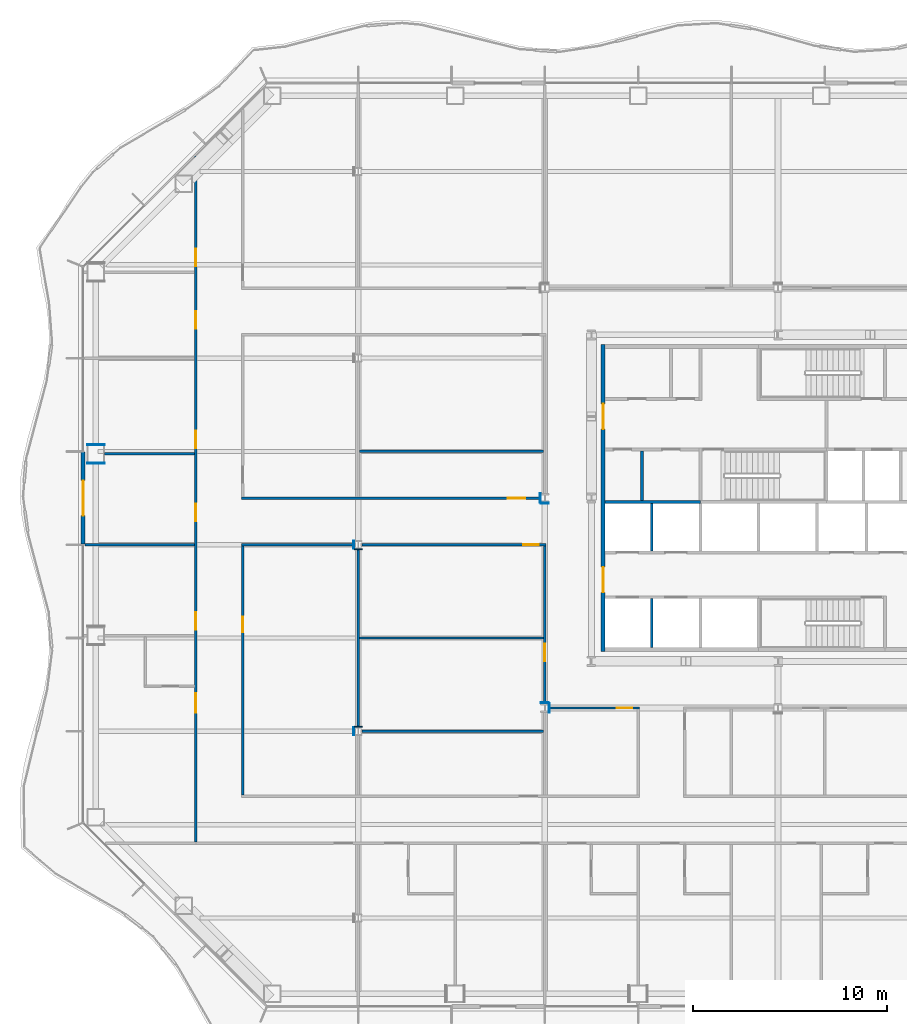
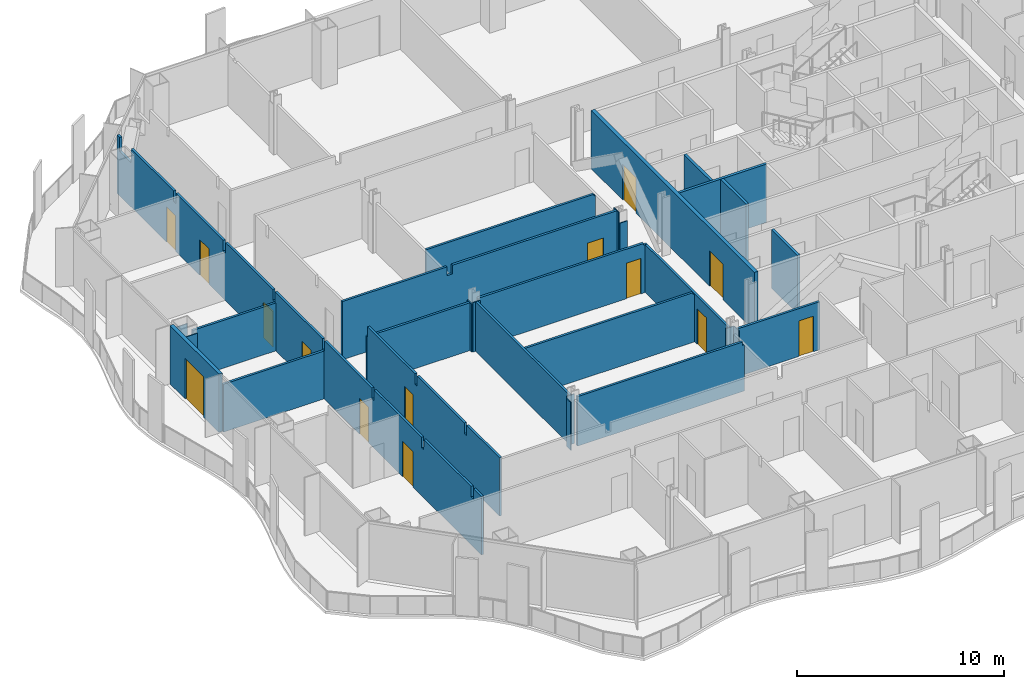
# One storey, part 8 of 20: 29 walls, 14 doors, 14 openings.
"""IFC4 building model written with IfcOpenShell, lengths in metres."""

from ifc_helpers import new_model, si_unit, direction, frame, frame_2d, origin, place, context, subcontext, project, spatial, polyline, rectangle, outline, extrude, material, layer, layer_set, type_object, element, fill, save


model = new_model("IFC4")

# Units and contexts
model_context = context("Model", 3, precision=1e-05, world=origin(), true_north=direction((0.0, 1.0)))
body_context = subcontext(model_context, "Body", "Model", "MODEL_VIEW")
ifc_project = project(units=[si_unit("LENGTHUNIT", "METRE"), si_unit("AREAUNIT", "SQUARE_METRE"), si_unit("VOLUMEUNIT", "CUBIC_METRE"), si_unit("PLANEANGLEUNIT", "RADIAN"), si_unit("MASSUNIT", "GRAM", prefix="KILO")], contexts=[model_context])

# Site, building, storey
site_placement = place(None, origin())
site = spatial("IfcSite", under=ifc_project, at=site_placement, CompositionType="ELEMENT")
building_placement = place(site_placement, origin())
building = spatial("IfcBuilding", under=site, at=building_placement, Name="Cairn Pilgrim Tower", CompositionType="ELEMENT")
storey_placement = place(building_placement, frame((0.0, 0.0, 83.39990234375)))
storey = spatial("IfcBuildingStorey", under=building, at=storey_placement, Name="L19", CompositionType="ELEMENT", Elevation=83.39990234375)

# Wall, opening, door
ifc_material_1 = material(Name="Bronze anodised aluminium insulated sandwich panel with mineral wool fill", Category="aluminium")
ifc_layer_1 = layer(ifc_material_1, 0.199951171875)
ifc_layer_set_1 = layer_set([ifc_layer_1], Name="BRONZE INFILL FRAME WALL 200")
wall_type_1 = type_object("IfcWallType", Name="BRONZE INFILL FRAME WALL 200", PredefinedType="NOTDEFINED", material=ifc_layer_set_1)
wall_1_placement = place(storey_placement, frame((-28.550048828125, 4.77001953125, 0.0), z_axis=(0.0, 0.0, 1.0), x_axis=(0.0, -1.0, 0.0)))
wall_1 = element("IfcWall", 1, at=wall_1_placement, inside=storey, type_object=wall_type_1, Name="Bronze infill frame wall IW-W3", PredefinedType="NOTDEFINED", context=body_context, shape_type="SweptSolid", body=[
    extrude(rectangle(XDim=4.739990234375, YDim=0.199951171875, at=frame_2d((2.3701171875, 0.0))), origin(), (0.0, 0.0, 1.0), 3.4501953125),
])
opening_1_placement = place(wall_1_placement, frame((1.469970703125, 0.0, 0.0)))
opening_1 = element("IfcOpeningElement", 2, at=opening_1_placement, cuts=wall_1, Name="Opening 1911B", PredefinedType="OPENING", context=body_context, shape_type="SweptSolid", body=[
    extrude(rectangle(XDim=1.800048828125, YDim=2.39990234375, at=frame_2d((0.89990234375, 1.199951171875))), frame((0.0, 0.10986328125, 0.0), z_axis=(0.0, -1.0, 0.0), x_axis=(1.0, 0.0, 0.0)), (0.0, 0.0, 1.0), 0.219970703125),
])
ifc_material_2 = material(Name="Bronze anodised aluminium frame with tinted low-E glass", Category="aluminium")
door_type_1 = type_object("IfcDoorType", Name="BALCONY SLIDING DOOR 1800x2400", OperationType="DOUBLE_DOOR_SLIDING", PredefinedType="DOOR", material=ifc_material_2)
door_1_placement = place(opening_1_placement, origin())
door_1 = element("IfcDoor", 3, at=door_1_placement, inside=storey, type_object=door_type_1, Name="Balcony sliding door 1911B", OperationType="SINGLE_SWING_LEFT", OverallHeight=2.39990234375, OverallWidth=1.800048828125, PredefinedType="DOOR", context=body_context, shape_type="SweptSolid", body=[
    extrude(rectangle(XDim=1.800048828125, YDim=2.39990234375, at=frame_2d((0.89990234375, 1.199951171875))), frame((0.0, 0.02490234375, 0.0), z_axis=(0.0, -1.0, 0.0), x_axis=(1.0, 0.0, 0.0)), (0.0, 0.0, 1.0), 0.050048828125),
])
fill(opening_1, door_1)

# Wall, openings, doors
ifc_material_3 = material(Name="Concrete C32/40", Category="concrete")
ifc_layer_2 = layer(ifc_material_3, 0.199951171875)
ifc_layer_set_2 = layer_set([ifc_layer_2], Name="CORE OUTER WALL 200 EI 120")
wall_type_2 = type_object("IfcWallType", Name="CORE OUTER WALL 200 EI 120", PredefinedType="SOLIDWALL", material=ifc_layer_set_2)
wall_2_placement = place(storey_placement, frame((-1.800048828125, -5.5, 0.0), z_axis=(0.0, 0.0, 1.0), x_axis=(0.0, 1.0, 0.0)))
wall_2 = element("IfcWall", 4, at=wall_2_placement, inside=storey, type_object=wall_type_2, Name="CW:L19:V12", PredefinedType="SOLIDWALL", context=body_context, shape_type="SweptSolid", body=[
    extrude(rectangle(XDim=15.800048828125, YDim=0.199951171875, at=frame_2d((7.89990234375, 0.0))), origin(), (0.0, 0.0, 1.0), 3.4501953125),
])
opening_2_placement = place(wall_2_placement, frame((3.050048828125, 0.0, 0.0)))
opening_2 = element("IfcOpeningElement", 5, at=opening_2_placement, cuts=wall_2, Name="Opening CD-W1", PredefinedType="OPENING", context=body_context, shape_type="SweptSolid", body=[
    extrude(rectangle(XDim=1.300048828125, YDim=2.10009765625, at=frame_2d((0.64990234375, 1.050048828125))), frame((0.0, 0.10986328125, 0.0), z_axis=(0.0, -1.0, 0.0), x_axis=(1.0, 0.0, 0.0)), (0.0, 0.0, 1.0), 0.219970703125),
])
opening_3_placement = place(wall_2_placement, frame((11.449951171875, 0.0, 0.0)))
opening_3 = element("IfcOpeningElement", 6, at=opening_3_placement, cuts=wall_2, Name="Opening CD-W2", PredefinedType="OPENING", context=body_context, shape_type="SweptSolid", body=[
    extrude(rectangle(XDim=1.300048828125, YDim=2.10009765625, at=frame_2d((0.64990234375, 1.050048828125))), frame((0.0, 0.10986328125, 0.0), z_axis=(0.0, -1.0, 0.0), x_axis=(1.0, 0.0, 0.0)), (0.0, 0.0, 1.0), 0.219970703125),
])
ifc_material_4 = material(Name="Painted steel", Category="steel")
door_type_2 = type_object("IfcDoorType", Name="CORE LOBBY DOOR 1300x2100", OperationType="DOUBLE_DOOR_SINGLE_SWING", PredefinedType="DOOR", material=ifc_material_4)
door_2_placement = place(opening_2_placement, origin())
door_2 = element("IfcDoor", 7, at=door_2_placement, inside=storey, type_object=door_type_2, Name="CD-W1", OperationType="DOUBLE_DOOR_SINGLE_SWING", OverallHeight=2.10009765625, OverallWidth=1.300048828125, PredefinedType="DOOR", context=body_context, shape_type="SweptSolid", body=[
    extrude(rectangle(XDim=1.300048828125, YDim=2.10009765625, at=frame_2d((0.64990234375, 1.050048828125))), frame((0.0, 0.02490234375, 0.0), z_axis=(0.0, -1.0, 0.0), x_axis=(1.0, 0.0, 0.0)), (0.0, 0.0, 1.0), 0.050048828125),
])
fill(opening_2, door_2)
door_3_placement = place(opening_3_placement, origin())
door_3 = element("IfcDoor", 8, at=door_3_placement, inside=storey, type_object=door_type_2, Name="CD-W2", OperationType="DOUBLE_DOOR_SINGLE_SWING", OverallHeight=2.10009765625, OverallWidth=1.300048828125, PredefinedType="DOOR", context=body_context, shape_type="SweptSolid", body=[
    extrude(rectangle(XDim=1.300048828125, YDim=2.10009765625, at=frame_2d((0.64990234375, 1.050048828125))), frame((0.0, 0.02490234375, 0.0), z_axis=(0.0, -1.0, 0.0), x_axis=(1.0, 0.0, 0.0)), (0.0, 0.0, 1.0), 0.050048828125),
])
fill(opening_3, door_3)

# Walls
ifc_layer_3 = layer(ifc_material_3, 0.14990234375)
ifc_layer_set_3 = layer_set([ifc_layer_3], Name="CORE PARTITION 150 EI 60")
wall_type_3 = type_object("IfcWallType", Name="CORE PARTITION 150 EI 60", PredefinedType="PARTITIONING", material=ifc_layer_set_3)
wall_3_placement = place(storey_placement, frame((0.199951171875, 2.27490234375, 0.0), z_axis=(0.0, 0.0, 1.0), x_axis=(0.0, 1.0, 0.0)))
element("IfcWall", 9, at=wall_3_placement, inside=storey, type_object=wall_type_3, Name="CW:L19:V13", PredefinedType="PARTITIONING", context=body_context, shape_type="SweptSolid", body=[
    extrude(rectangle(XDim=2.550048828125, YDim=0.14990234375, at=frame_2d((1.27490234375, 0.0))), origin(), (0.0, 0.0, 1.0), 3.4501953125),
])
ifc_layer_4 = layer(ifc_material_3, 0.14990234375)
ifc_layer_set_4 = layer_set([ifc_layer_4], Name="CORE SHAFT WALL 150 EI 120")
wall_type_4 = type_object("IfcWallType", Name="CORE SHAFT WALL 150 EI 120", PredefinedType="SOLIDWALL", material=ifc_layer_set_4)
wall_4_placement = place(storey_placement, frame((-1.699951171875, 2.199951171875, 0.0), z_axis=(0.0, 0.0, 1.0), x_axis=(1.0, 0.0, 0.0)))
element("IfcWall", 10, at=wall_4_placement, inside=storey, type_object=wall_type_4, Name="CW:L19:H05-1", PredefinedType="SOLIDWALL", context=body_context, shape_type="SweptSolid", body=[
    extrude(rectangle(XDim=4.89990234375, YDim=0.14990234375, at=frame_2d((2.449951171875, 0.0))), origin(), (0.0, 0.0, 1.0), 3.4501953125),
])
wall_5_placement = place(storey_placement, frame((0.699951171875, -5.300048828125, 0.0), z_axis=(0.0, 0.0, 1.0), x_axis=(0.0, 1.0, 0.0)))
element("IfcWall", 11, at=wall_5_placement, inside=storey, type_object=wall_type_4, Name="CW:L19:V14", PredefinedType="SOLIDWALL", context=body_context, shape_type="SweptSolid", body=[
    extrude(rectangle(XDim=2.525146484375, YDim=0.14990234375, at=frame_2d((1.2626953125, 0.0))), origin(), (0.0, 0.0, 1.0), 3.4501953125),
])
wall_6_placement = place(storey_placement, frame((0.699951171875, -0.324951171875, 0.0), z_axis=(0.0, 0.0, 1.0), x_axis=(0.0, 1.0, 0.0)))
element("IfcWall", 12, at=wall_6_placement, inside=storey, type_object=wall_type_4, Name="CW:L19:V15", PredefinedType="SOLIDWALL", context=body_context, shape_type="SweptSolid", body=[
    extrude(rectangle(XDim=2.449951171875, YDim=0.14990234375, at=frame_2d((1.22509765625, 0.0))), origin(), (0.0, 0.0, 1.0), 3.4501953125),
])

# Wall, openings, doors
ifc_material_5 = material(Name="Gypsum partition")
ifc_layer_5 = layer(ifc_material_5, 0.125)
ifc_layer_set_5 = layer_set([ifc_layer_5], Name="PARTITION 125 DRYWALL EI 60")
wall_type_5 = type_object("IfcWallType", Name="PARTITION 125 DRYWALL EI 60", PredefinedType="PARTITIONING", material=ifc_layer_set_5)
wall_7_placement = place(storey_placement, frame((-22.75, -15.28759765625, 0.0), z_axis=(0.0, 0.0, 1.0), x_axis=(0.0, 1.0, 0.0)))
wall_7 = element("IfcWall", 13, at=wall_7_placement, inside=storey, type_object=wall_type_5, Name="PARTITION W024", PredefinedType="PARTITIONING", context=body_context, shape_type="SweptSolid", body=[
    extrude(outline(polyline([(0.0, 0.0), (35.276123046875, 0.0), (35.276123046875, 3.4501953125), (35.022216796875, 3.4501953125), (35.020263671875, 2.630126953125), (33.9072265625, 2.630126953125), (33.9052734375, 3.4501953125), (29.797607421875, 3.4501953125), (29.79541015625, 2.830078125), (29.577392578125, 2.830078125), (29.575439453125, 3.4501953125), (24.99755859375, 3.4501953125), (24.99560546875, 2.830078125), (24.777587890625, 2.830078125), (24.775390625, 3.4501953125), (20.197509765625, 3.4501953125), (20.195556640625, 2.830078125), (19.9775390625, 2.830078125), (19.9755859375, 3.4501953125), (15.3974609375, 3.4501953125), (15.3955078125, 2.830078125), (15.177490234375, 2.830078125), (15.175537109375, 3.4501953125), (10.597412109375, 3.4501953125), (10.595458984375, 2.830078125), (10.37744140625, 2.830078125), (10.37548828125, 3.4501953125), (5.797607421875, 3.4501953125), (5.79541015625, 2.830078125), (5.577392578125, 2.830078125), (5.575439453125, 3.4501953125), (0.99755859375, 3.4501953125), (0.99560546875, 2.830078125), (0.777587890625, 2.830078125), (0.775390625, 3.4501953125), (0.0, 3.4501953125), (0.0, 0.0)])), frame((0.0, 0.0625, 0.0), z_axis=(0.0, -1.0, 0.0), x_axis=(1.0, 0.0, 0.0)), (0.0, 0.0, 1.0), 0.125),
])
opening_4_placement = place(wall_7_placement, frame((6.637451171875, 0.0, 0.0)))
opening_4 = element("IfcOpeningElement", 14, at=opening_4_placement, cuts=wall_7, Name="Opening 1909", PredefinedType="OPENING", context=body_context, shape_type="SweptSolid", body=[
    extrude(rectangle(XDim=1.0, YDim=2.10009765625, at=frame_2d((0.5, 1.050048828125))), frame((0.0, 0.072509765625, 0.0), z_axis=(0.0, -1.0, 0.0), x_axis=(1.0, 0.0, 0.0)), (0.0, 0.0, 1.0), 0.14501953125),
])
opening_5_placement = place(wall_7_placement, frame((10.91162109375, 0.0, 0.0)))
opening_5 = element("IfcOpeningElement", 15, at=opening_5_placement, cuts=wall_7, Name="Opening 1910", PredefinedType="OPENING", context=body_context, shape_type="SweptSolid", body=[
    extrude(rectangle(XDim=0.89990234375, YDim=2.10009765625, at=frame_2d((0.449951171875, 1.050048828125))), frame((0.0, 0.072509765625, 0.0), z_axis=(0.0, -1.0, 0.0), x_axis=(1.0, 0.0, 0.0)), (0.0, 0.0, 1.0), 0.14501953125),
])
opening_6_placement = place(wall_7_placement, frame((16.487548828125, 0.0, 0.0)))
opening_6 = element("IfcOpeningElement", 16, at=opening_6_placement, cuts=wall_7, Name="Opening 1911", PredefinedType="OPENING", context=body_context, shape_type="SweptSolid", body=[
    extrude(rectangle(XDim=0.89990234375, YDim=2.10009765625, at=frame_2d((0.449951171875, 1.050048828125))), frame((0.0, 0.072509765625, 0.0), z_axis=(0.0, -1.0, 0.0), x_axis=(1.0, 0.0, 0.0)), (0.0, 0.0, 1.0), 0.14501953125),
])
opening_7_placement = place(wall_7_placement, frame((20.263427734375, 0.0, 0.0)))
opening_7 = element("IfcOpeningElement", 17, at=opening_7_placement, cuts=wall_7, Name="Opening 1912", PredefinedType="OPENING", context=body_context, shape_type="SweptSolid", body=[
    extrude(rectangle(XDim=0.89990234375, YDim=2.10009765625, at=frame_2d((0.449951171875, 1.050048828125))), frame((0.0, 0.072509765625, 0.0), z_axis=(0.0, -1.0, 0.0), x_axis=(1.0, 0.0, 0.0)), (0.0, 0.0, 1.0), 0.14501953125),
])
opening_8_placement = place(wall_7_placement, frame((26.387451171875, 0.0, 0.0)))
opening_8 = element("IfcOpeningElement", 18, at=opening_8_placement, cuts=wall_7, Name="Opening 1913", PredefinedType="OPENING", context=body_context, shape_type="SweptSolid", body=[
    extrude(rectangle(XDim=0.89990234375, YDim=2.10009765625, at=frame_2d((0.449951171875, 1.050048828125))), frame((0.0, 0.072509765625, 0.0), z_axis=(0.0, -1.0, 0.0), x_axis=(1.0, 0.0, 0.0)), (0.0, 0.0, 1.0), 0.14501953125),
])
opening_9_placement = place(wall_7_placement, frame((29.614501953125, 0.0, 0.0)))
opening_9 = element("IfcOpeningElement", 19, at=opening_9_placement, cuts=wall_7, Name="Opening 1914", PredefinedType="OPENING", context=body_context, shape_type="SweptSolid", body=[
    extrude(rectangle(XDim=0.89990234375, YDim=2.10009765625, at=frame_2d((0.449951171875, 1.050048828125))), frame((0.0, 0.072509765625, 0.0), z_axis=(0.0, -1.0, 0.0), x_axis=(1.0, 0.0, 0.0)), (0.0, 0.0, 1.0), 0.14501953125),
])
ifc_material_6 = material(Name="Timber door leaf", Category="wood")
door_type_3 = type_object("IfcDoorType", Name="ACCESSIBLE DOOR 1000x2100 FD30S", OperationType="NOTDEFINED", PredefinedType="DOOR", material=ifc_material_6)
door_4_placement = place(opening_4_placement, origin())
door_4 = element("IfcDoor", 20, at=door_4_placement, inside=storey, type_object=door_type_3, Name="DOOR 1909", OperationType="SINGLE_SWING_LEFT", OverallHeight=2.10009765625, OverallWidth=1.0, PredefinedType="DOOR", context=body_context, shape_type="SweptSolid", body=[
    extrude(rectangle(XDim=1.0, YDim=2.10009765625, at=frame_2d((0.5, 1.050048828125))), frame((0.0, 0.02490234375, 0.0), z_axis=(0.0, -1.0, 0.0), x_axis=(1.0, 0.0, 0.0)), (0.0, 0.0, 1.0), 0.050048828125),
])
fill(opening_4, door_4)
ifc_material_7 = material(Name="Steel-faced fire door leaf", Category="steel")
door_type_4 = type_object("IfcDoorType", Name="FIRE DOOR 900x2100 FD30S", OperationType="NOTDEFINED", PredefinedType="DOOR", material=ifc_material_7)
door_5_placement = place(opening_5_placement, origin())
door_5 = element("IfcDoor", 21, at=door_5_placement, inside=storey, type_object=door_type_4, Name="DOOR 1910", OperationType="SINGLE_SWING_LEFT", OverallHeight=2.10009765625, OverallWidth=0.89990234375, PredefinedType="DOOR", context=body_context, shape_type="SweptSolid", body=[
    extrude(rectangle(XDim=0.89990234375, YDim=2.10009765625, at=frame_2d((0.449951171875, 1.050048828125))), frame((0.0, 0.02490234375, 0.0), z_axis=(0.0, -1.0, 0.0), x_axis=(1.0, 0.0, 0.0)), (0.0, 0.0, 1.0), 0.050048828125),
])
fill(opening_5, door_5)
door_6_placement = place(opening_6_placement, origin())
door_6 = element("IfcDoor", 22, at=door_6_placement, inside=storey, type_object=door_type_4, Name="DOOR 1911", OperationType="SINGLE_SWING_RIGHT", OverallHeight=2.10009765625, OverallWidth=0.89990234375, PredefinedType="DOOR", context=body_context, shape_type="SweptSolid", body=[
    extrude(rectangle(XDim=0.89990234375, YDim=2.10009765625, at=frame_2d((0.449951171875, 1.050048828125))), frame((0.0, 0.02490234375, 0.0), z_axis=(0.0, -1.0, 0.0), x_axis=(1.0, 0.0, 0.0)), (0.0, 0.0, 1.0), 0.050048828125),
])
fill(opening_6, door_6)
door_7_placement = place(opening_7_placement, origin())
door_7 = element("IfcDoor", 23, at=door_7_placement, inside=storey, type_object=door_type_4, Name="DOOR 1912", OperationType="SINGLE_SWING_LEFT", OverallHeight=2.10009765625, OverallWidth=0.89990234375, PredefinedType="DOOR", context=body_context, shape_type="SweptSolid", body=[
    extrude(rectangle(XDim=0.89990234375, YDim=2.10009765625, at=frame_2d((0.449951171875, 1.050048828125))), frame((0.0, 0.02490234375, 0.0), z_axis=(0.0, -1.0, 0.0), x_axis=(1.0, 0.0, 0.0)), (0.0, 0.0, 1.0), 0.050048828125),
])
fill(opening_7, door_7)
door_8_placement = place(opening_8_placement, origin())
door_8 = element("IfcDoor", 24, at=door_8_placement, inside=storey, type_object=door_type_4, Name="DOOR 1913", OperationType="SINGLE_SWING_RIGHT", OverallHeight=2.10009765625, OverallWidth=0.89990234375, PredefinedType="DOOR", context=body_context, shape_type="SweptSolid", body=[
    extrude(rectangle(XDim=0.89990234375, YDim=2.10009765625, at=frame_2d((0.449951171875, 1.050048828125))), frame((0.0, 0.02490234375, 0.0), z_axis=(0.0, -1.0, 0.0), x_axis=(1.0, 0.0, 0.0)), (0.0, 0.0, 1.0), 0.050048828125),
])
fill(opening_8, door_8)
door_9_placement = place(opening_9_placement, origin())
door_9 = element("IfcDoor", 25, at=door_9_placement, inside=storey, type_object=door_type_4, Name="DOOR 1914", OperationType="SINGLE_SWING_LEFT", OverallHeight=2.10009765625, OverallWidth=0.89990234375, PredefinedType="DOOR", context=body_context, shape_type="SweptSolid", body=[
    extrude(rectangle(XDim=0.89990234375, YDim=2.10009765625, at=frame_2d((0.449951171875, 1.050048828125))), frame((0.0, 0.02490234375, 0.0), z_axis=(0.0, -1.0, 0.0), x_axis=(1.0, 0.0, 0.0)), (0.0, 0.0, 1.0), 0.050048828125),
])
fill(opening_9, door_9)

# Wall, opening, door
wall_8_placement = place(storey_placement, frame((-20.35009765625, -12.887451171875, 0.0), z_axis=(0.0, 0.0, 1.0), x_axis=(0.0, 1.0, 0.0)))
wall_8 = element("IfcWall", 26, at=wall_8_placement, inside=storey, type_object=wall_type_5, Name="PARTITION W028", PredefinedType="PARTITIONING", context=body_context, shape_type="SweptSolid", body=[
    extrude(outline(polyline([(0.0, 0.0), (12.824951171875, 0.0), (12.824951171875, 2.830078125), (12.777587890625, 2.830078125), (12.775390625, 3.4501953125), (8.197509765625, 3.4501953125), (8.195556640625, 2.830078125), (7.9775390625, 2.830078125), (7.9755859375, 3.4501953125), (3.3974609375, 3.4501953125), (3.3955078125, 2.830078125), (3.177490234375, 2.830078125), (3.175537109375, 3.4501953125), (0.0, 3.4501953125), (0.0, 0.0)])), frame((0.0, 0.0625, 0.0), z_axis=(0.0, -1.0, 0.0), x_axis=(1.0, 0.0, 0.0)), (0.0, 0.0, 1.0), 0.125),
])
opening_10_placement = place(wall_8_placement, frame((8.387451171875, 0.0, 0.0)))
opening_10 = element("IfcOpeningElement", 27, at=opening_10_placement, cuts=wall_8, Name="Opening 1931", PredefinedType="OPENING", context=body_context, shape_type="SweptSolid", body=[
    extrude(rectangle(XDim=0.800048828125, YDim=2.10009765625, at=frame_2d((0.39990234375, 1.050048828125))), frame((0.0, 0.072509765625, 0.0), z_axis=(0.0, -1.0, 0.0), x_axis=(1.0, 0.0, 0.0)), (0.0, 0.0, 1.0), 0.14501953125),
])
door_type_5 = type_object("IfcDoorType", Name="FIRE DOOR 800x2100 FD30S", OperationType="NOTDEFINED", PredefinedType="DOOR", material=ifc_material_7)
door_10_placement = place(opening_10_placement, frame((0.800048828125, 0.0, 0.0), z_axis=(0.0, 0.0, 1.0), x_axis=(-1.0, 0.0, 0.0)))
door_10 = element("IfcDoor", 28, at=door_10_placement, inside=storey, type_object=door_type_5, Name="DOOR 1931", OperationType="SINGLE_SWING_RIGHT", OverallHeight=2.10009765625, OverallWidth=0.800048828125, PredefinedType="DOOR", context=body_context, shape_type="SweptSolid", body=[
    extrude(rectangle(XDim=0.800048828125, YDim=2.10009765625, at=frame_2d((0.39990234375, 1.050048828125))), frame((0.0, 0.02490234375, 0.0), z_axis=(0.0, -1.0, 0.0), x_axis=(1.0, 0.0, 0.0)), (0.0, 0.0, 1.0), 0.050048828125),
])
fill(opening_10, door_10)

# Walls
wall_9_placement = place(storey_placement, frame((-14.195556640625, -9.60009765625, 0.0), z_axis=(0.0, 0.0, 1.0), x_axis=(1.0, 0.0, 0.0)))
element("IfcWall", 29, at=wall_9_placement, inside=storey, type_object=wall_type_5, Name="PARTITION W037", PredefinedType="PARTITIONING", context=body_context, shape_type="SweptSolid", body=[
    extrude(outline(polyline([(0.0, 0.0), (9.3330078125, 0.0), (9.3330078125, 2.72998046875), (9.24560546875, 2.72998046875), (9.243408203125, 2.93017578125), (0.0, 2.93017578125), (0.0, 0.0)])), frame((0.0, 0.0625, 0.0), z_axis=(0.0, -1.0, 0.0), x_axis=(1.0, 0.0, 0.0)), (0.0, 0.0, 1.0), 0.125),
])
wall_10_placement = place(storey_placement, frame((-14.39990234375, -9.387451171875, 0.0), z_axis=(0.0, 0.0, 1.0), x_axis=(0.0, 1.0, 0.0)))
element("IfcWall", 30, at=wall_10_placement, inside=storey, type_object=wall_type_5, Name="PARTITION W040", PredefinedType="PARTITIONING", context=body_context, shape_type="SweptSolid", body=[
    extrude(rectangle(XDim=9.175048828125, YDim=0.125, at=frame_2d((4.58740234375, 0.0))), origin(), (0.0, 0.0, 1.0), 2.93017578125),
])

# Wall, opening, door
wall_11_placement = place(storey_placement, frame((-4.587890625, -8.39990234375, 0.0), z_axis=(0.0, 0.0, 1.0), x_axis=(1.0, 0.0, 0.0)))
wall_11 = element("IfcWall", 31, at=wall_11_placement, inside=storey, type_object=wall_type_5, Name="PARTITION W041", PredefinedType="PARTITIONING", context=body_context, shape_type="SweptSolid", body=[
    extrude(rectangle(XDim=4.650390625, YDim=0.125, at=frame_2d((2.3251953125, 0.0))), origin(), (0.0, 0.0, 1.0), 2.830078125),
])
opening_11_placement = place(wall_11_placement, frame((3.488037109375, 0.0, 0.0)))
opening_11 = element("IfcOpeningElement", 32, at=opening_11_placement, cuts=wall_11, Name="Opening 1933", PredefinedType="OPENING", context=body_context, shape_type="SweptSolid", body=[
    extrude(rectangle(XDim=0.800048828125, YDim=2.10009765625, at=frame_2d((0.39990234375, 1.050048828125))), frame((0.0, 0.072509765625, 0.0), z_axis=(0.0, -1.0, 0.0), x_axis=(1.0, 0.0, 0.0)), (0.0, 0.0, 1.0), 0.14501953125),
])
door_11_placement = place(opening_11_placement, frame((0.800048828125, 0.0, 0.0), z_axis=(0.0, 0.0, 1.0), x_axis=(-1.0, 0.0, 0.0)))
door_11 = element("IfcDoor", 33, at=door_11_placement, inside=storey, type_object=door_type_5, Name="DOOR 1933", OperationType="SINGLE_SWING_RIGHT", OverallHeight=2.10009765625, OverallWidth=0.800048828125, PredefinedType="DOOR", context=body_context, shape_type="SweptSolid", body=[
    extrude(rectangle(XDim=0.800048828125, YDim=2.10009765625, at=frame_2d((0.39990234375, 1.050048828125))), frame((0.0, 0.02490234375, 0.0), z_axis=(0.0, -1.0, 0.0), x_axis=(1.0, 0.0, 0.0)), (0.0, 0.0, 1.0), 0.050048828125),
])
fill(opening_11, door_11)

wall_12_placement = place(storey_placement, frame((-4.800048828125, -8.1630859375, 0.0), z_axis=(0.0, 0.0, 1.0), x_axis=(0.0, 1.0, 0.0)))
wall_12 = element("IfcWall", 34, at=wall_12_placement, inside=storey, type_object=wall_type_5, Name="PARTITION W044", PredefinedType="PARTITIONING", context=body_context, shape_type="SweptSolid", body=[
    extrude(rectangle(XDim=8.1005859375, YDim=0.125, at=frame_2d((4.05029296875, 0.0))), origin(), (0.0, 0.0, 1.0), 2.830078125),
])
opening_12_placement = place(wall_12_placement, frame((2.1630859375, 0.0, 0.0)))
opening_12 = element("IfcOpeningElement", 35, at=opening_12_placement, cuts=wall_12, Name="Opening 1927", PredefinedType="OPENING", context=body_context, shape_type="SweptSolid", body=[
    extrude(rectangle(XDim=0.89990234375, YDim=2.10009765625, at=frame_2d((0.449951171875, 1.050048828125))), frame((0.0, 0.072509765625, 0.0), z_axis=(0.0, -1.0, 0.0), x_axis=(1.0, 0.0, 0.0)), (0.0, 0.0, 1.0), 0.14501953125),
])
door_12_placement = place(opening_12_placement, origin())
door_12 = element("IfcDoor", 36, at=door_12_placement, inside=storey, type_object=door_type_4, Name="DOOR 1927", OperationType="SINGLE_SWING_RIGHT", OverallHeight=2.10009765625, OverallWidth=0.89990234375, PredefinedType="DOOR", context=body_context, shape_type="SweptSolid", body=[
    extrude(rectangle(XDim=0.89990234375, YDim=2.10009765625, at=frame_2d((0.449951171875, 1.050048828125))), frame((0.0, 0.02490234375, 0.0), z_axis=(0.0, -1.0, 0.0), x_axis=(1.0, 0.0, 0.0)), (0.0, 0.0, 1.0), 0.050048828125),
])
fill(opening_12, door_12)

# Walls
wall_13_placement = place(storey_placement, frame((-14.33740234375, -4.800048828125, 0.0), z_axis=(0.0, 0.0, 1.0), x_axis=(1.0, 0.0, 0.0)))
element("IfcWall", 37, at=wall_13_placement, inside=storey, type_object=wall_type_5, Name="PARTITION W049", PredefinedType="PARTITIONING", context=body_context, shape_type="SweptSolid", body=[
    extrude(outline(polyline([(0.0, 0.0), (9.474853515625, 0.0), (9.47509765625, 2.830078125), (9.387451171875, 2.830078125), (9.385498046875, 2.93017578125), (0.0, 2.93017578125), (0.0, 0.0)])), frame((0.0, 0.0625, 0.0), z_axis=(0.0, -1.0, 0.0), x_axis=(1.0, 0.0, 0.0)), (0.0, 0.0, 1.0), 0.125),
])
wall_14_placement = place(storey_placement, frame((-28.449951171875, 0.0, 0.0), z_axis=(0.0, 0.0, 1.0), x_axis=(1.0, 0.0, 0.0)))
element("IfcWall", 38, at=wall_14_placement, inside=storey, type_object=wall_type_5, Name="PARTITION W055", PredefinedType="PARTITIONING", context=body_context, shape_type="SweptSolid", body=[
    extrude(rectangle(XDim=5.637451171875, YDim=0.125, at=frame_2d((2.81884765625, 0.0))), origin(), (0.0, 0.0, 1.0), 2.830078125),
])
wall_15_placement = place(storey_placement, frame((-20.41259765625, 0.0, 0.0), z_axis=(0.0, 0.0, 1.0), x_axis=(1.0, 0.0, 0.0)))
element("IfcWall", 39, at=wall_15_placement, inside=storey, type_object=wall_type_5, Name="PARTITION W056", PredefinedType="PARTITIONING", context=body_context, shape_type="SweptSolid", body=[
    extrude(rectangle(XDim=5.80810546875, YDim=0.125, at=frame_2d((2.904052734375, 0.0))), origin(), (0.0, 0.0, 1.0), 2.830078125),
])

# Wall, opening, door
wall_16_placement = place(storey_placement, frame((-14.195556640625, 0.0, 0.0), z_axis=(0.0, 0.0, 1.0), x_axis=(1.0, 0.0, 0.0)))
wall_16 = element("IfcWall", 40, at=wall_16_placement, inside=storey, type_object=wall_type_5, Name="PARTITION W057", PredefinedType="PARTITIONING", context=body_context, shape_type="SweptSolid", body=[
    extrude(outline(polyline([(0.0, 0.0), (9.4580078125, 0.0), (9.4580078125, 2.830078125), (9.24560546875, 2.830078125), (9.243408203125, 2.93017578125), (0.0, 2.93017578125), (0.0, 0.0)])), frame((0.0, 0.0625, 0.0), z_axis=(0.0, -1.0, 0.0), x_axis=(1.0, 0.0, 0.0)), (0.0, 0.0, 1.0), 0.125),
])
opening_13_placement = place(wall_16_placement, frame((8.29541015625, 0.0, 0.0)))
opening_13 = element("IfcOpeningElement", 41, at=opening_13_placement, cuts=wall_16, Name="Opening 1928", PredefinedType="OPENING", context=body_context, shape_type="SweptSolid", body=[
    extrude(rectangle(XDim=0.800048828125, YDim=2.10009765625, at=frame_2d((0.39990234375, 1.050048828125))), frame((0.0, 0.072509765625, 0.0), z_axis=(0.0, -1.0, 0.0), x_axis=(1.0, 0.0, 0.0)), (0.0, 0.0, 1.0), 0.14501953125),
])
door_13_placement = place(opening_13_placement, frame((0.800048828125, 0.0, 0.0), z_axis=(0.0, 0.0, 1.0), x_axis=(-1.0, 0.0, 0.0)))
door_13 = element("IfcDoor", 42, at=door_13_placement, inside=storey, type_object=door_type_5, Name="DOOR 1928", OperationType="SINGLE_SWING_LEFT", OverallHeight=2.10009765625, OverallWidth=0.800048828125, PredefinedType="DOOR", context=body_context, shape_type="SweptSolid", body=[
    extrude(rectangle(XDim=0.800048828125, YDim=2.10009765625, at=frame_2d((0.39990234375, 1.050048828125))), frame((0.0, 0.02490234375, 0.0), z_axis=(0.0, -1.0, 0.0), x_axis=(1.0, 0.0, 0.0)), (0.0, 0.0, 1.0), 0.050048828125),
])
fill(opening_13, door_13)

wall_17_placement = place(storey_placement, frame((-20.41259765625, 2.39990234375, 0.0), z_axis=(0.0, 0.0, 1.0), x_axis=(1.0, 0.0, 0.0)))
wall_17 = element("IfcWall", 43, at=wall_17_placement, inside=storey, type_object=wall_type_5, Name="PARTITION W061", PredefinedType="PARTITIONING", context=body_context, shape_type="SweptSolid", body=[
    extrude(outline(polyline([(0.0, 0.0), (15.400634765625, 0.0), (15.400390625, 3.4501953125), (6.16259765625, 3.4501953125), (6.160400390625, 2.93017578125), (5.862548828125, 2.93017578125), (5.860595703125, 3.4501953125), (0.0, 3.4501953125), (0.0, 0.0)])), frame((0.0, 0.0625, 0.0), z_axis=(0.0, -1.0, 0.0), x_axis=(1.0, 0.0, 0.0)), (0.0, 0.0, 1.0), 0.125),
])
opening_14_placement = place(wall_17_placement, frame((13.71240234375, 0.0, 0.0)))
opening_14 = element("IfcOpeningElement", 44, at=opening_14_placement, cuts=wall_17, Name="Opening 1929", PredefinedType="OPENING", context=body_context, shape_type="SweptSolid", body=[
    extrude(rectangle(XDim=0.89990234375, YDim=2.10009765625, at=frame_2d((0.449951171875, 1.050048828125))), frame((0.0, 0.072509765625, 0.0), z_axis=(0.0, -1.0, 0.0), x_axis=(1.0, 0.0, 0.0)), (0.0, 0.0, 1.0), 0.14501953125),
])
door_14_placement = place(opening_14_placement, origin())
door_14 = element("IfcDoor", 45, at=door_14_placement, inside=storey, type_object=door_type_4, Name="DOOR 1929", OperationType="SINGLE_SWING_RIGHT", OverallHeight=2.10009765625, OverallWidth=0.89990234375, PredefinedType="DOOR", context=body_context, shape_type="SweptSolid", body=[
    extrude(rectangle(XDim=0.89990234375, YDim=2.10009765625, at=frame_2d((0.449951171875, 1.050048828125))), frame((0.0, 0.02490234375, 0.0), z_axis=(0.0, -1.0, 0.0), x_axis=(1.0, 0.0, 0.0)), (0.0, 0.0, 1.0), 0.050048828125),
])
fill(opening_14, door_14)

# Walls
wall_18_placement = place(storey_placement, frame((-27.449951171875, 4.676025390625, 0.0), z_axis=(0.0, 0.0, 1.0), x_axis=(1.0, 0.0, 0.0)))
element("IfcWall", 46, at=wall_18_placement, inside=storey, type_object=wall_type_5, Name="PARTITION W066", PredefinedType="PARTITIONING", context=body_context, shape_type="SweptSolid", body=[
    extrude(rectangle(XDim=4.637451171875, YDim=0.125, at=frame_2d((2.31884765625, 0.0))), origin(), (0.0, 0.0, 1.0), 2.830078125),
])
wall_19_placement = place(storey_placement, frame((-14.33740234375, 4.800048828125, 0.0), z_axis=(0.0, 0.0, 1.0), x_axis=(1.0, 0.0, 0.0)))
element("IfcWall", 47, at=wall_19_placement, inside=storey, type_object=wall_type_5, Name="PARTITION W069", PredefinedType="PARTITIONING", context=body_context, shape_type="SweptSolid", body=[
    extrude(outline(polyline([(0.0, 0.0), (9.474853515625, 0.0), (9.47509765625, 2.830078125), (9.387451171875, 2.830078125), (9.385498046875, 2.93017578125), (0.0, 2.93017578125), (0.0, 0.0)])), frame((0.0, 0.0625, 0.0), z_axis=(0.0, -1.0, 0.0), x_axis=(1.0, 0.0, 0.0)), (0.0, 0.0, 1.0), 0.125),
])
ifc_layer_6 = layer(ifc_material_5, 0.050048828125)
ifc_layer_set_6 = layer_set([ifc_layer_6], Name="PARTITION 50 DRYWALL EI 60")
wall_type_6 = type_object("IfcWallType", Name="PARTITION 50 DRYWALL EI 60", PredefinedType="PARTITIONING", material=ifc_layer_set_6)
wall_20_placement = place(storey_placement, frame((-14.62939453125, -9.8125, 0.0), z_axis=(0.0, 0.0, 1.0), x_axis=(0.0, 1.0, 0.0)))
element("IfcWall", 48, at=wall_20_placement, inside=storey, type_object=wall_type_6, Name="COLUMN CASING WC12", PredefinedType="PARTITIONING", context=body_context, shape_type="SweptSolid", body=[
    extrude(rectangle(XDim=0.425048828125, YDim=0.050048828125, at=frame_2d((0.21240234375, 0.0))), origin(), (0.0, 0.0, 1.0), 2.830078125),
])
wall_21_placement = place(storey_placement, frame((-14.62939453125, -0.21240234375, 0.0), z_axis=(0.0, 0.0, 1.0), x_axis=(0.0, 1.0, 0.0)))
element("IfcWall", 49, at=wall_21_placement, inside=storey, type_object=wall_type_6, Name="COLUMN CASING WC13", PredefinedType="PARTITIONING", context=body_context, shape_type="SweptSolid", body=[
    extrude(rectangle(XDim=0.4248046875, YDim=0.050048828125, at=frame_2d((0.21240234375, 0.0))), origin(), (0.0, 0.0, 1.0), 2.830078125),
])
wall_22_placement = place(storey_placement, frame((-4.56298828125, -8.636962890625, 0.0), z_axis=(0.0, 0.0, 1.0), x_axis=(0.0, 1.0, 0.0)))
element("IfcWall", 50, at=wall_22_placement, inside=storey, type_object=wall_type_6, Name="COLUMN CASING WC14", PredefinedType="PARTITIONING", context=body_context, shape_type="SweptSolid", body=[
    extrude(rectangle(XDim=0.473876953125, YDim=0.050048828125, at=frame_2d((0.23681640625, 0.0))), origin(), (0.0, 0.0, 1.0), 2.830078125),
])
wall_23_placement = place(storey_placement, frame((-14.6044921875, -9.362548828125, 0.0), z_axis=(0.0, 0.0, 1.0), x_axis=(1.0, 0.0, 0.0)))
element("IfcWall", 51, at=wall_23_placement, inside=storey, type_object=wall_type_6, Name="COLUMN CASING WC15", PredefinedType="PARTITIONING", context=body_context, shape_type="SweptSolid", body=[
    extrude(rectangle(XDim=0.408935546875, YDim=0.050048828125, at=frame_2d((0.20458984375, 0.0))), origin(), (0.0, 0.0, 1.0), 2.93017578125),
])
wall_24_placement = place(storey_placement, frame((-5.011962890625, -8.137939453125, 0.0), z_axis=(0.0, 0.0, 1.0), x_axis=(1.0, 0.0, 0.0)))
element("IfcWall", 52, at=wall_24_placement, inside=storey, type_object=wall_type_6, Name="COLUMN CASING WC16", PredefinedType="PARTITIONING", context=body_context, shape_type="SweptSolid", body=[
    extrude(rectangle(XDim=0.424072265625, YDim=0.050048828125, at=frame_2d((0.2119140625, 0.0))), origin(), (0.0, 0.0, 1.0), 2.830078125),
])
wall_25_placement = place(storey_placement, frame((-14.6044921875, -0.237548828125, 0.0), z_axis=(0.0, 0.0, 1.0), x_axis=(1.0, 0.0, 0.0)))
element("IfcWall", 53, at=wall_25_placement, inside=storey, type_object=wall_type_6, Name="COLUMN CASING WC22", PredefinedType="PARTITIONING", context=body_context, shape_type="SweptSolid", body=[
    extrude(rectangle(XDim=0.408935546875, YDim=0.050048828125, at=frame_2d((0.20458984375, 0.0))), origin(), (0.0, 0.0, 1.0), 2.93017578125),
])
wall_26_placement = place(storey_placement, frame((-5.011962890625, 2.137939453125, 0.0), z_axis=(0.0, 0.0, 1.0), x_axis=(1.0, 0.0, 0.0)))
element("IfcWall", 54, at=wall_26_placement, inside=storey, type_object=wall_type_6, Name="COLUMN CASING WC23", PredefinedType="PARTITIONING", context=body_context, shape_type="SweptSolid", body=[
    extrude(rectangle(XDim=0.424072265625, YDim=0.050048828125, at=frame_2d((0.2119140625, 0.0))), origin(), (0.0, 0.0, 1.0), 2.830078125),
])
wall_27_placement = place(storey_placement, frame((-5.037109375, 2.1630859375, 0.0), z_axis=(0.0, 0.0, 1.0), x_axis=(0.0, 1.0, 0.0)))
element("IfcWall", 55, at=wall_27_placement, inside=storey, type_object=wall_type_6, Name="COLUMN CASING WC25", PredefinedType="PARTITIONING", context=body_context, shape_type="SweptSolid", body=[
    extrude(rectangle(XDim=0.473876953125, YDim=0.050048828125, at=frame_2d((0.23681640625, 0.0))), origin(), (0.0, 0.0, 1.0), 3.4501953125),
])
for number, where, z_axis, x_axis, name in (
    (56, (-28.35009765625, 5.150634765625, 0.0), (0.0, 0.0, 1.0), (1.0, 0.0, 0.0), "COLUMN CASING WC26"),
    (57, (-28.35009765625, 4.20068359375, 0.0), (0.0, 0.0, 1.0), (1.0, 0.0, 0.0), "COLUMN CASING WC27"),
):
    element("IfcWall", number, at=place(storey_placement, frame(where, z_axis=z_axis, x_axis=x_axis)), inside=storey, type_object=wall_type_6, Name=name, PredefinedType="PARTITIONING", context=body_context, shape_type="SweptSolid", body=[
        extrude(rectangle(XDim=0.900146484375, YDim=0.050048828125, at=frame_2d((0.4501953125, 0.0))), origin(), (0.0, 0.0, 1.0), 2.93017578125),
    ])

save(model, "model.ifc")
